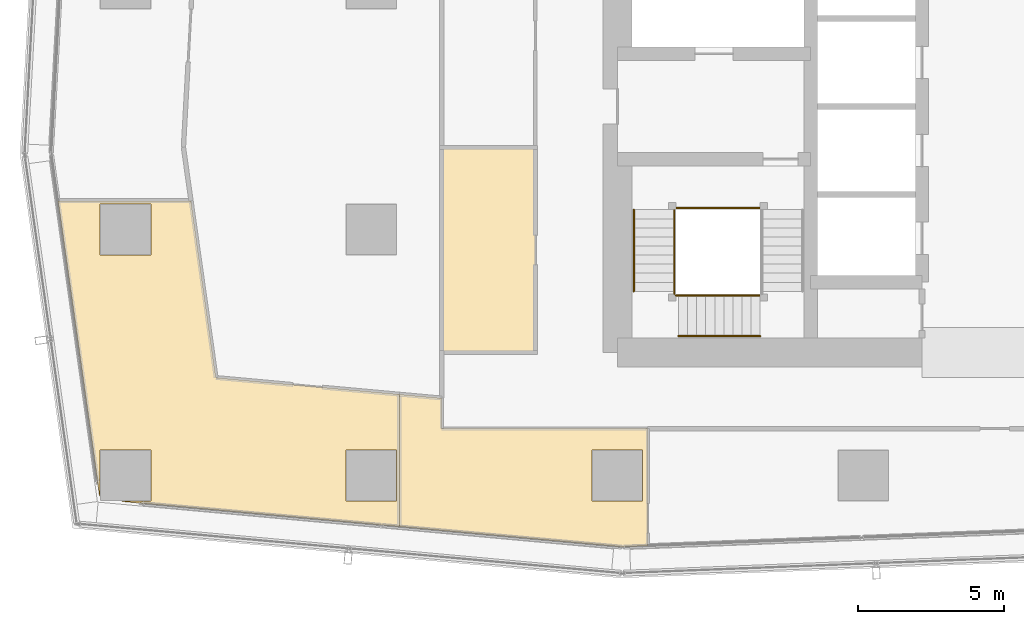
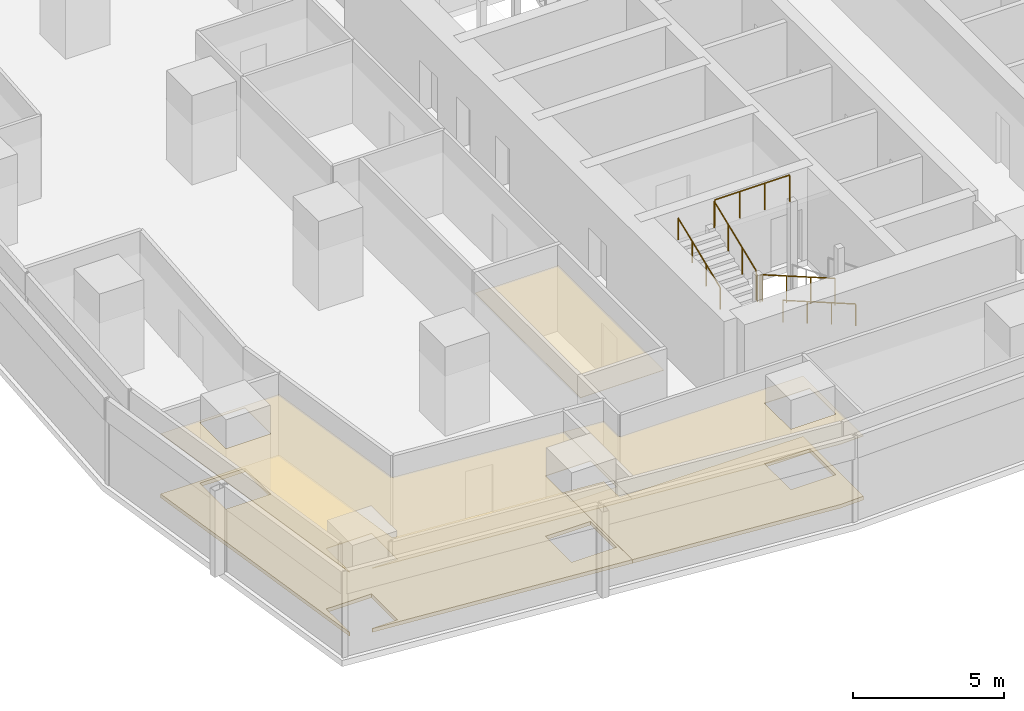
# One storey, part 33 of 40: 7 railings, 5 coverings.
"""IFC4 building model written with IfcOpenShell, lengths in metres."""

from ifc_helpers import new_model, si_unit, direction, frame, origin, origin_2d, place, context, subcontext, project, spatial, polyline, circle, outline, extrude, material, layer, layer_set, type_object, element, save


model = new_model("IFC4")

# Units and contexts
model_context = context("Model", 3, precision=1e-05, world=origin(), true_north=direction((0.0, 1.0)))
body_context = subcontext(model_context, "Body", "Model", "MODEL_VIEW")
ifc_project = project(units=[si_unit("LENGTHUNIT", "METRE"), si_unit("AREAUNIT", "SQUARE_METRE"), si_unit("VOLUMEUNIT", "CUBIC_METRE"), si_unit("PLANEANGLEUNIT", "RADIAN"), si_unit("MASSUNIT", "GRAM", prefix="KILO")], contexts=[model_context])

# Site, building, storey
site_placement = place(None, origin())
site = spatial("IfcSite", under=ifc_project, at=site_placement, CompositionType="ELEMENT")
building_placement = place(site_placement, origin())
building = spatial("IfcBuilding", under=site, at=building_placement, Name="Rekha Terrace Tower", CompositionType="ELEMENT")
storey_placement = place(building_placement, frame((0.0, 0.0, 110.300048828125)))
storey = spatial("IfcBuildingStorey", under=building, at=storey_placement, Name="L27", CompositionType="ELEMENT", Elevation=110.300048828125)

# Coverings
ifc_material_1 = material(Name="Mineral fibre tile in exposed grid", Category="finish")
ifc_layer_1 = layer(ifc_material_1, 0.02001953125)
ifc_layer_set_1 = layer_set([ifc_layer_1], Name="Mineral fibre tile in exposed grid")
covering_type_1 = type_object("IfcCoveringType", Name="CL1 600x1200 office grid ceiling", PredefinedType="CEILING", material=ifc_layer_set_1)
covering_1_placement = place(storey_placement, frame((0.0, 0.0, 2.579833984375)))
element("IfcCovering", 1, at=covering_1_placement, inside=storey, type_object=covering_type_1, Name="Ceiling L27-19", PredefinedType="CEILING", context=body_context, shape_type="SweptSolid", body=[
    extrude(outline(polyline([(7.514892578125, 16.096923828125), (7.534912109375, 16.097900390625), (7.534912109375, 17.6650390625), (9.264892578125, 17.6650390625), (9.264892578125, 15.93505859375), (8.283935546875, 15.93505859375), (8.282958984375, 15.912109375), (17.751953125, 15.052001953125), (17.751953125, 19.570068359375), (11.489990234375, 20.138916015625), (10.638916015625, 26.176025390625), (6.094970703125, 26.176025390625), (7.514892578125, 16.096923828125)]), holes=[polyline([(17.6650390625, 15.93505859375), (15.93505859375, 15.93505859375), (15.93505859375, 17.6650390625), (17.6650390625, 17.6650390625), (17.6650390625, 15.93505859375)]), polyline([(9.264892578125, 24.3349609375), (7.534912109375, 24.3349609375), (7.534912109375, 26.06494140625), (9.264892578125, 26.06494140625), (9.264892578125, 24.3349609375)])]), origin(), (0.0, 0.0, 1.0), 0.02001953125),
])
covering_2_placement = place(storey_placement, frame((0.0, 0.0, 2.579833984375)))
element("IfcCovering", 2, at=covering_2_placement, inside=storey, type_object=covering_type_1, Name="Ceiling L27-20", PredefinedType="CEILING", context=body_context, shape_type="SweptSolid", body=[
    extrude(outline(polyline([(26.23388671875, 14.39697265625), (26.23388671875, 18.39990234375), (19.199951171875, 18.39990234375), (19.199951171875, 19.43896484375), (17.7529296875, 19.570068359375), (17.7529296875, 15.052001953125), (25.346923828125, 14.362060546875), (26.23388671875, 14.39697265625)]), holes=[polyline([(26.06494140625, 17.6650390625), (26.06494140625, 15.93505859375), (24.3349609375, 15.93505859375), (24.3349609375, 17.6650390625), (26.06494140625, 17.6650390625)])]), origin(), (0.0, 0.0, 1.0), 0.02001953125),
])
ifc_material_2 = material(Name="Fibre cement board", Category="finish")
ifc_layer_2 = layer(ifc_material_2, 0.014892578125)
ifc_layer_set_2 = layer_set([ifc_layer_2], Name="Fibre cement board")
covering_type_2 = type_object("IfcCoveringType", Name="CL2 moisture-resistant board ceiling", PredefinedType="CEILING", material=ifc_layer_set_2)
covering_3_placement = place(storey_placement, frame((0.0, 0.0, 2.5849609375)))
element("IfcCovering", 3, at=covering_3_placement, inside=storey, type_object=covering_type_2, Name="Ceiling L27-WCM", PredefinedType="CEILING", context=body_context, shape_type="SweptSolid", body=[
    extrude(outline(polyline([(22.39990234375, 28.0), (19.199951171875, 28.0), (19.199951171875, 21.0), (22.39990234375, 21.0), (22.39990234375, 28.0)])), origin(), (0.0, 0.0, 1.0), 0.014892578125),
])

# Railings
ifc_material_3 = material(Name="Stainless steel balustrade", Category="steel")
railing_type_1 = type_object("IfcRailingType", Name="GR1 1100 stair guard", PredefinedType="GUARDRAIL", material=ifc_material_3)
railing_1_placement = place(storey_placement, frame((30.074951171875, 22.93994140625, 1.375)))
element("IfcRailing", 4, at=railing_1_placement, inside=storey, type_object=railing_type_1, Name="Guard ST1 L27 flight 2", PredefinedType="GUARDRAIL", context=body_context, shape_type="SweptSolid", body=[
    extrude(circle(Radius=0.02392578125, at=origin_2d()), frame((0.0, 0.0, 1.076171875), z_axis=(-0.927443287984, 0.0, 0.373963831907), x_axis=(0.0, -1.0, 0.0)), (0.0, 0.0, 1.0), 3.00830078125),
    extrude(circle(Radius=0.02099609375, at=origin_2d()), origin(), (0.0, 0.0, 1.0), 1.052001953125),
    extrude(circle(Radius=0.02099609375, at=origin_2d()), frame((-0.929931640625, 0.0, 0.375)), (0.0, 0.0, 1.0), 1.052001953125),
    extrude(circle(Radius=0.02099609375, at=origin_2d()), frame((-1.860107421875, 0.0, 0.75)), (0.0, 0.0, 1.0), 1.052001953125),
    extrude(circle(Radius=0.02099609375, at=origin_2d()), frame((-2.7900390625, 0.0, 1.125)), (0.0, 0.0, 1.0), 1.052001953125),
])
railing_2_placement = place(storey_placement, frame((27.139892578125, 23.0849609375, 2.625)))
element("IfcRailing", 5, at=railing_2_placement, inside=storey, type_object=railing_type_1, Name="Guard ST1 L27 flight 3", PredefinedType="GUARDRAIL", context=body_context, shape_type="SweptSolid", body=[
    extrude(circle(Radius=0.02392578125, at=origin_2d()), frame((0.0, 0.0, 1.076171875), z_axis=(0.0, 0.927443287984, 0.373963831907), x_axis=(-1.0, 0.0, 0.0)), (0.0, 0.0, 1.0), 3.00830078125),
    extrude(circle(Radius=0.02099609375, at=origin_2d()), origin(), (0.0, 0.0, 1.0), 1.052001953125),
    extrude(circle(Radius=0.02099609375, at=origin_2d()), frame((0.0, 0.929931640625, 0.375)), (0.0, 0.0, 1.0), 1.052001953125),
    extrude(circle(Radius=0.02099609375, at=origin_2d()), frame((0.0, 1.860107421875, 0.75)), (0.0, 0.0, 1.0), 1.052001953125),
    extrude(circle(Radius=0.02099609375, at=origin_2d()), frame((0.0, 2.7900390625, 1.125)), (0.0, 0.0, 1.0), 1.052001953125),
])
railing_3_placement = place(storey_placement, frame((27.284912109375, 22.93994140625, 2.5)))
element("IfcRailing", 6, at=railing_3_placement, inside=storey, type_object=railing_type_1, Name="Guard ST1 L27 landing 2", PredefinedType="GUARDRAIL", context=body_context, shape_type="SweptSolid", body=[
    extrude(circle(Radius=0.02392578125, at=origin_2d()), frame((0.0, 0.0, 1.076171875), z_axis=(-1.0, 0.0, 0.0), x_axis=(0.0, -1.0, 0.0)), (0.0, 0.0, 1.0), 0.0849609375),
    extrude(circle(Radius=0.02099609375, at=origin_2d()), origin(), (0.0, 0.0, 1.0), 1.052001953125),
    extrude(circle(Radius=0.02099609375, at=origin_2d()), frame((-0.0849609375, 0.0, 0.0)), (0.0, 0.0, 1.0), 1.052001953125),
])
railing_4_placement = place(storey_placement, frame((27.139892578125, 23.0849609375, 2.5)))
element("IfcRailing", 7, at=railing_4_placement, inside=storey, type_object=railing_type_1, Name="Guard ST1 L27 landing 3", PredefinedType="GUARDRAIL", context=body_context, shape_type="SweptSolid", body=[
    extrude(circle(Radius=0.02392578125, at=origin_2d()), frame((0.0, 0.0, 1.076171875), z_axis=(0.0, -1.0, 0.0), x_axis=(1.0, 0.0, 0.0)), (0.0, 0.0, 1.0), 0.0849609375),
    extrude(circle(Radius=0.02099609375, at=origin_2d()), origin(), (0.0, 0.0, 1.0), 1.052001953125),
    extrude(circle(Radius=0.02099609375, at=origin_2d()), frame((0.0, -0.0849609375, 0.0)), (0.0, 0.0, 1.0), 1.052001953125),
])
railing_5_placement = place(storey_placement, frame((30.074951171875, 25.93505859375, 3.75)))
element("IfcRailing", 8, at=railing_5_placement, inside=storey, type_object=railing_type_1, Name="Guard ST1 L27 landing 4", PredefinedType="GUARDRAIL", context=body_context, shape_type="SweptSolid", body=[
    extrude(circle(Radius=0.02392578125, at=origin_2d()), frame((0.0, 0.0, 1.076171875), z_axis=(-1.0, 0.0, 0.0), x_axis=(0.0, -1.0, 0.0)), (0.0, 0.0, 1.0), 2.875),
    extrude(circle(Radius=0.02099609375, at=origin_2d()), origin(), (0.0, 0.0, 1.0), 1.052001953125),
    extrude(circle(Radius=0.02099609375, at=origin_2d()), frame((-0.958251953125, 0.0, 0.0)), (0.0, 0.0, 1.0), 1.052001953125),
    extrude(circle(Radius=0.02099609375, at=origin_2d()), frame((-1.916748046875, 0.0, 0.0)), (0.0, 0.0, 1.0), 1.052001953125),
    extrude(circle(Radius=0.02099609375, at=origin_2d()), frame((-2.875, 0.0, 0.0)), (0.0, 0.0, 1.0), 1.052001953125),
])
ifc_material_4 = material(Name="Stainless steel tube", Category="steel")
railing_type_2 = type_object("IfcRailingType", Name="HR1 900 stair handrail", PredefinedType="HANDRAIL", material=ifc_material_4)
railing_6_placement = place(storey_placement, frame((30.074951171875, 21.56005859375, 1.375)))
element("IfcRailing", 9, at=railing_6_placement, inside=storey, type_object=railing_type_2, Name="Handrail ST1 L27 flight 2", PredefinedType="HANDRAIL", context=body_context, shape_type="SweptSolid", body=[
    extrude(circle(Radius=0.02392578125, at=origin_2d()), frame((0.0, 0.0, 0.8759765625), z_axis=(-0.927443287984, 0.0, 0.373963831907), x_axis=(0.0, -1.0, 0.0)), (0.0, 0.0, 1.0), 3.00830078125),
    extrude(circle(Radius=0.02099609375, at=origin_2d()), origin(), (0.0, 0.0, 1.0), 0.851806640625),
    extrude(circle(Radius=0.02099609375, at=origin_2d()), frame((-0.929931640625, 0.0, 0.375)), (0.0, 0.0, 1.0), 0.851806640625),
    extrude(circle(Radius=0.02099609375, at=origin_2d()), frame((-1.860107421875, 0.0, 0.75)), (0.0, 0.0, 1.0), 0.851806640625),
    extrude(circle(Radius=0.02099609375, at=origin_2d()), frame((-2.7900390625, 0.0, 1.125)), (0.0, 0.0, 1.0), 0.851806640625),
])
railing_7_placement = place(storey_placement, frame((25.760009765625, 23.0849609375, 2.625)))
element("IfcRailing", 10, at=railing_7_placement, inside=storey, type_object=railing_type_2, Name="Handrail ST1 L27 flight 3", PredefinedType="HANDRAIL", context=body_context, shape_type="SweptSolid", body=[
    extrude(circle(Radius=0.02392578125, at=origin_2d()), frame((0.0, 0.0, 0.8759765625), z_axis=(0.0, 0.927443287984, 0.373963831907), x_axis=(-1.0, 0.0, 0.0)), (0.0, 0.0, 1.0), 3.00830078125),
    extrude(circle(Radius=0.02099609375, at=origin_2d()), origin(), (0.0, 0.0, 1.0), 0.851806640625),
    extrude(circle(Radius=0.02099609375, at=origin_2d()), frame((0.0, 0.929931640625, 0.375)), (0.0, 0.0, 1.0), 0.851806640625),
    extrude(circle(Radius=0.02099609375, at=origin_2d()), frame((0.0, 1.860107421875, 0.75)), (0.0, 0.0, 1.0), 0.851806640625),
    extrude(circle(Radius=0.02099609375, at=origin_2d()), frame((0.0, 2.7900390625, 1.125)), (0.0, 0.0, 1.0), 0.851806640625),
])

# Coverings
ifc_material_5 = material(Name="Calcium sulphate panels on steel pedestals", Category="steel")
ifc_layer_3 = layer(ifc_material_5, 0.14990234375)
ifc_layer_set_3 = layer_set([ifc_layer_3], Name="Calcium sulphate panels on steel pedestals")
covering_type_3 = type_object("IfcCoveringType", Name="RF1 150 raised access floor", PredefinedType="FLOORING", material=ifc_layer_set_3)
covering_4_placement = place(storey_placement, origin())
element("IfcCovering", 11, at=covering_4_placement, inside=storey, type_object=covering_type_3, Name="Raised floor L27-19", PredefinedType="FLOORING", context=body_context, shape_type="SweptSolid", body=[
    extrude(outline(polyline([(7.514892578125, 16.096923828125), (7.534912109375, 16.097900390625), (7.534912109375, 17.6650390625), (9.264892578125, 17.6650390625), (9.264892578125, 15.93505859375), (8.283935546875, 15.93505859375), (8.282958984375, 15.912109375), (17.751953125, 15.052001953125), (17.751953125, 19.570068359375), (11.489990234375, 20.138916015625), (10.638916015625, 26.176025390625), (6.094970703125, 26.176025390625), (7.514892578125, 16.096923828125)]), holes=[polyline([(17.6650390625, 15.93505859375), (15.93505859375, 15.93505859375), (15.93505859375, 17.6650390625), (17.6650390625, 17.6650390625), (17.6650390625, 15.93505859375)]), polyline([(9.264892578125, 24.3349609375), (7.534912109375, 24.3349609375), (7.534912109375, 26.06494140625), (9.264892578125, 26.06494140625), (9.264892578125, 24.3349609375)])]), origin(), (0.0, 0.0, 1.0), 0.14990234375),
])
covering_5_placement = place(storey_placement, origin())
element("IfcCovering", 12, at=covering_5_placement, inside=storey, type_object=covering_type_3, Name="Raised floor L27-20", PredefinedType="FLOORING", context=body_context, shape_type="SweptSolid", body=[
    extrude(outline(polyline([(26.23388671875, 14.39697265625), (26.23388671875, 18.39990234375), (19.199951171875, 18.39990234375), (19.199951171875, 19.43896484375), (17.7529296875, 19.570068359375), (17.7529296875, 15.052001953125), (25.346923828125, 14.362060546875), (26.23388671875, 14.39697265625)]), holes=[polyline([(26.06494140625, 17.6650390625), (26.06494140625, 15.93505859375), (24.3349609375, 15.93505859375), (24.3349609375, 17.6650390625), (26.06494140625, 17.6650390625)])]), origin(), (0.0, 0.0, 1.0), 0.14990234375),
])

save(model, "model.ifc")
